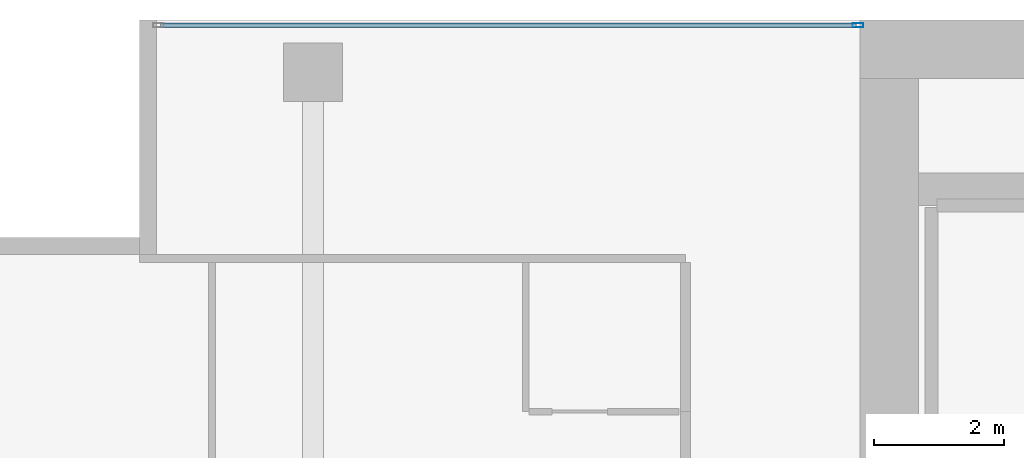
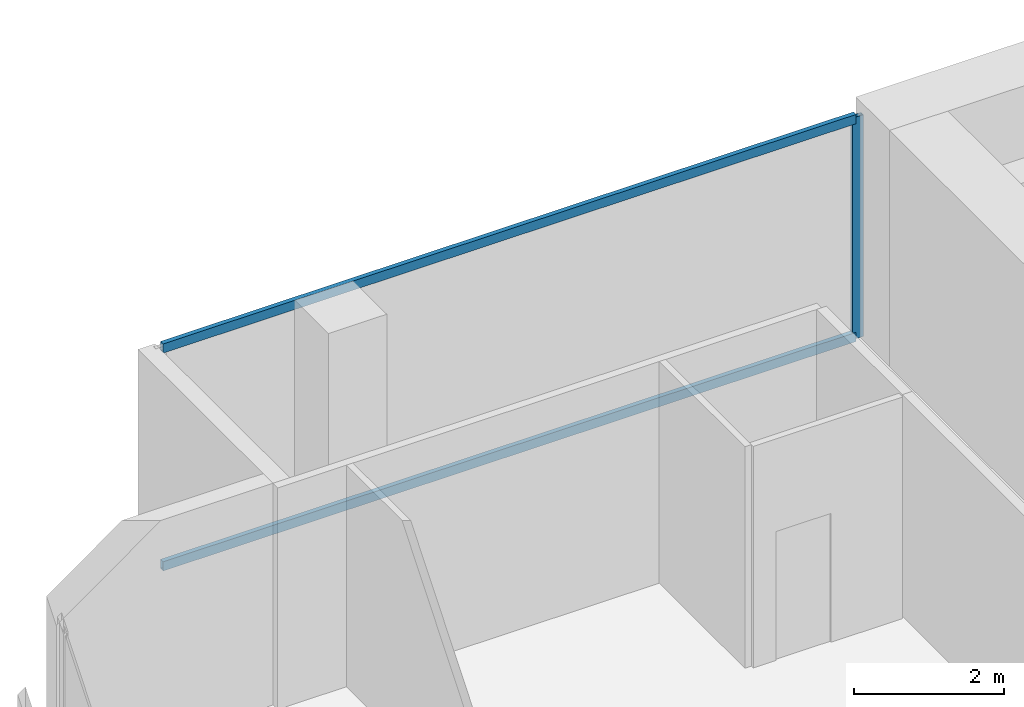
# One storey, part 26 of 39: 3 members, 1 element without a shape of its own.
"""IFC4 building model written with IfcOpenShell, lengths in metres."""

from ifc_helpers import new_model, si_unit, direction, frame, origin, origin_2d, place, context, subcontext, project, spatial, hollow_rectangle, extrude, material, layer, layer_set, material_profile, profile_set, type_object, element, aggregate, save


model = new_model("IFC4")

# Units and contexts
model_context = context("Model", 3, precision=1e-05, world=origin(), true_north=direction((0.0, 1.0)))
body_context = subcontext(model_context, "Body", "Model", "MODEL_VIEW")
ifc_project = project(units=[si_unit("LENGTHUNIT", "METRE"), si_unit("AREAUNIT", "SQUARE_METRE"), si_unit("VOLUMEUNIT", "CUBIC_METRE"), si_unit("PLANEANGLEUNIT", "RADIAN"), si_unit("MASSUNIT", "GRAM", prefix="KILO")], contexts=[model_context])

# Site, building, storey
site_placement = place(None, origin())
site = spatial("IfcSite", under=ifc_project, at=site_placement, CompositionType="ELEMENT")
building_placement = place(site_placement, origin())
building = spatial("IfcBuilding", under=site, at=building_placement, Name="Maruvema Waterfront Hotel and Observation Tower", CompositionType="ELEMENT")
storey_placement = place(building_placement, frame((0.0, 0.0, 69.300048828125)))
storey = spatial("IfcBuildingStorey", under=building, at=storey_placement, Name="L16", CompositionType="ELEMENT", Elevation=69.300048828125)

# Curtain wall, members
ifc_material_1 = material(Name="Anodised bronze aluminium and solar-control low-E IGU", Category="aluminium")
ifc_layer = layer(ifc_material_1, 0.159912109375, Name="Zone 1 Bronze Inner Thermal Curtain Wall System CW-02")
ifc_layer_set = layer_set([ifc_layer], Name="Anodised bronze aluminium and solar-control low-E IGU")
curtain_wall_type = type_object("IfcCurtainWallType", Name="Zone 1 Bronze Inner Thermal Curtain Wall System CW-02", PredefinedType="USERDEFINED", material=ifc_layer_set)
curtain_wall_placement = place(storey_placement, origin())
curtain_wall = element("IfcCurtainWall", 1, at=curtain_wall_placement, inside=storey, type_object=curtain_wall_type, Name="L16 Curtain Wall CW-L16-NW", ObjectType="UNITISED CURTAIN WALL", PredefinedType="USERDEFINED")
ifc_material_2 = material(Name="Anodised architectural bronze aluminium", Category="aluminium")
ifc_material_profile_1 = material_profile(ifc_material_2, hollow_rectangle(XDim=0.070068359375, YDim=0.14990234375, WallThickness=0.00390625, at=origin_2d()), Name="ALU-T70x150")
ifc_profile_set_1 = profile_set([ifc_material_profile_1], Name="Anodised architectural bronze aluminium")
member_type_1 = type_object("IfcMemberType", Name="Curtain Wall Horizontal Transom ALU-T70x150", PredefinedType="USERDEFINED", material=ifc_profile_set_1)
member_1_placement = place(storey_placement, frame((25.139892578125, 53.919921875, 0.030029296875), z_axis=(-1.0, 0.0, 0.0), x_axis=(0.0, -1.0, 0.0)))
member_1 = element("IfcMember", 2, at=member_1_placement, type_object=member_type_1, Name="CW-02 transom 1.1", ObjectType="TRANSOM", PredefinedType="USERDEFINED", context=body_context, shape_type="SweptSolid", body=[
    extrude(hollow_rectangle(XDim=0.070068359375, YDim=0.14990234375, WallThickness=0.00390625, at=origin_2d()), origin(), (0.0, 0.0, 1.0), 10.679931640625),
])
member_2_placement = place(storey_placement, frame((25.139892578125, 53.919921875, 3.579833984375), z_axis=(-1.0, 0.0, 0.0), x_axis=(0.0, -1.0, 0.0)))
member_2 = element("IfcMember", 3, at=member_2_placement, type_object=member_type_1, Name="CW-02 transom 1.2", ObjectType="TRANSOM", PredefinedType="USERDEFINED", context=body_context, shape_type="SweptSolid", body=[
    extrude(hollow_rectangle(XDim=0.070068359375, YDim=0.14990234375, WallThickness=0.00390625, at=origin_2d()), origin(), (0.0, 0.0, 1.0), 10.679931640625),
])
ifc_material_3 = material(Name="Anodised architectural bronze aluminium", Category="aluminium")
ifc_material_profile_2 = material_profile(ifc_material_3, hollow_rectangle(XDim=0.06494140625, YDim=0.1650390625, WallThickness=0.00390625, at=origin_2d()), Name="ALU-M65x165")
ifc_profile_set_2 = profile_set([ifc_material_profile_2], Name="Anodised architectural bronze aluminium")
member_type_2 = type_object("IfcMemberType", Name="Curtain Wall Primary Mullion ALU-M65x165", PredefinedType="MULLION", material=ifc_profile_set_2)
member_3_placement = place(storey_placement, frame((25.169921875, 53.919921875, 0.0), z_axis=(0.0, 0.0, 1.0), x_axis=(0.0, -1.0, 0.0)))
member_3 = element("IfcMember", 4, at=member_3_placement, type_object=member_type_2, Name="CW-02 mullion 1", PredefinedType="MULLION", context=body_context, shape_type="SweptSolid", body=[
    extrude(hollow_rectangle(XDim=0.06494140625, YDim=0.1650390625, WallThickness=0.00390625, at=origin_2d()), origin(), (0.0, 0.0, 1.0), 3.60986328125),
])
aggregate(curtain_wall, [member_3, member_1, member_2])

save(model, "model.ifc")
